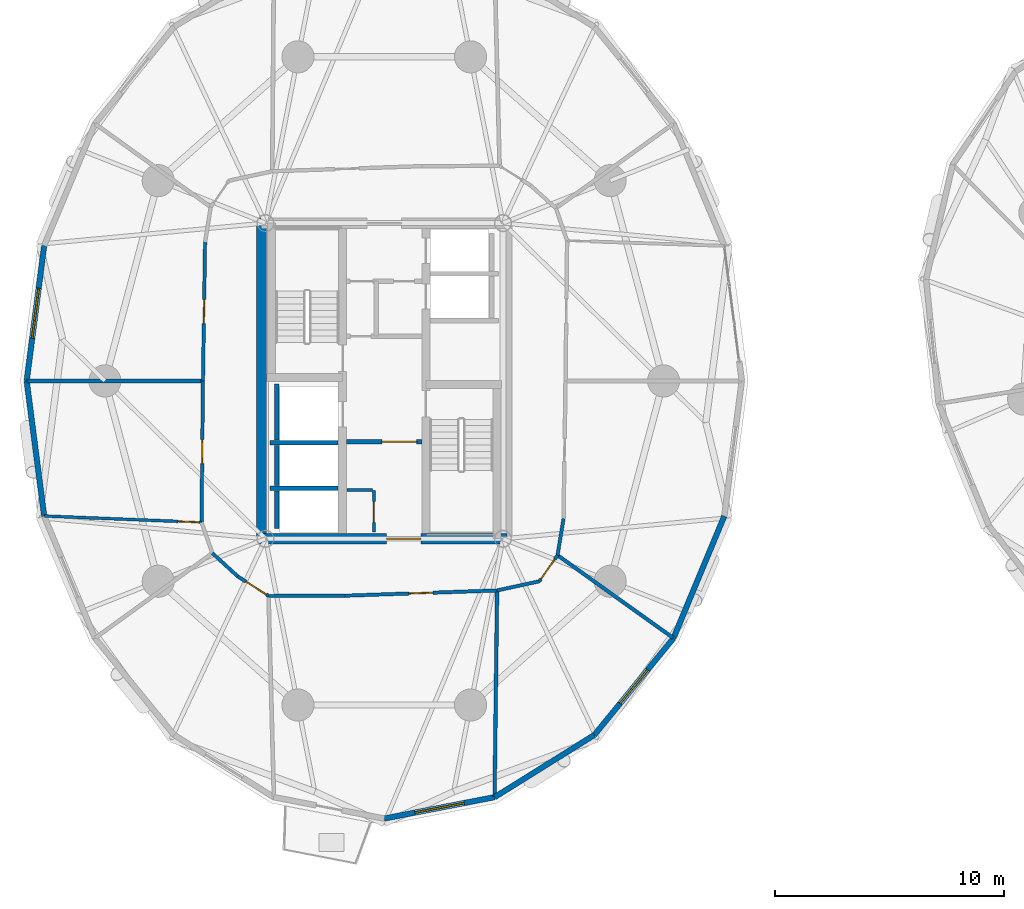
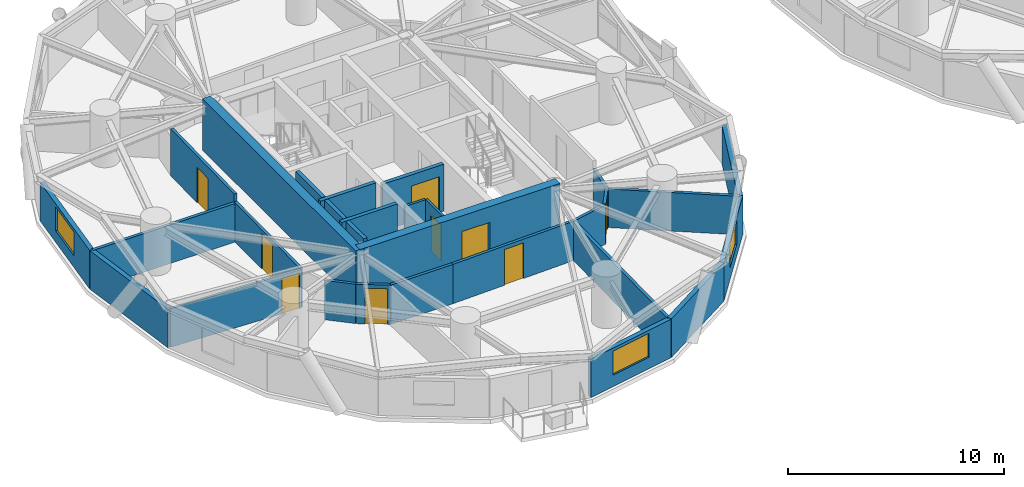
# One storey, part 9 of 17: 29 walls, 9 doors, 3 windows, 12 openings.
"""IFC4 building model written with IfcOpenShell, lengths in metres."""

import ifcopenshell
import ifcopenshell.guid

model = None  # the IFC model being written
_history = None  # IfcOwnerHistory: only IFC2X3 demands one
_inside = {}  # id of a spatial element -> (the spatial element, [elements in it])
_under = {}  # id of a project, library or spatial element -> (it, [spatial elements below it])
_declared = {}  # id of a project -> (the project, [libraries it declares])
_typed = {}  # id of a type object -> (the type object, [elements of that type])
_made_of = {}  # id of a material, layer set ... -> (it, [elements and type objects made of it])


def new_model(schema):
    """Start an empty IFC model of exactly this schema.

    Asked for "IFC4X3", IfcOpenShell would pick the latest addendum, in which some entities
    have other attributes; the version numbers below select the first issue.
    IFC2X3 requires an IfcOwnerHistory on every rooted entity: one is made here for all.
    """
    global model, _history
    if schema == "IFC4X3":
        model = ifcopenshell.file(schema_version=(4, 3, 0, 0))
    else:
        model = ifcopenshell.file(schema=schema)
    _inside.clear()
    _under.clear()
    _declared.clear()
    _typed.clear()
    _made_of.clear()
    _history = None
    if model.schema == "IFC2X3":
        org = make("IfcOrganization", Name="unknown")
        user = make(
            "IfcPersonAndOrganization",
            ThePerson=make("IfcPerson", FamilyName="unknown"),
            TheOrganization=org,
        )
        app = make(
            "IfcApplication",
            ApplicationDeveloper=org,
            Version="unknown",
            ApplicationFullName="unknown",
            ApplicationIdentifier="unknown",
        )
        _history = make(
            "IfcOwnerHistory",
            OwningUser=user,
            OwningApplication=app,
            ChangeAction="ADDED",
            CreationDate=0,
        )
    return model


def make(cls, **values):
    """One entity of the class cls with the attributes given. An attribute that is None is left unset."""
    return model.create_entity(
        cls, **{name: value for name, value in values.items() if value is not None}
    )


def rooted(cls, **values):
    """An entity with a GlobalId (a new one), such as an element, a storey or a relation."""
    return make(cls, GlobalId=ifcopenshell.guid.new(), OwnerHistory=_history, **values)


def si_unit(unit_type, name, prefix=None):
    """IfcSIUnit, for example si_unit("LENGTHUNIT", "METRE", prefix="MILLI")."""
    return make("IfcSIUnit", UnitType=unit_type, Prefix=prefix, Name=name)


def assignment(units):
    """IfcUnitAssignment: the units of a project."""
    return None if units is None else make("IfcUnitAssignment", Units=units)


def point(xyz):
    """IfcCartesianPoint."""
    return None if xyz is None else make("IfcCartesianPoint", Coordinates=xyz)


def direction(xyz):
    """IfcDirection."""
    return None if xyz is None else make("IfcDirection", DirectionRatios=xyz)


def frame(location, z_axis=None, x_axis=None):
    """IfcAxis2Placement3D, a coordinate frame: its origin and axes. An axis left out is left unset."""
    return make(
        "IfcAxis2Placement3D",
        Location=point(location),
        Axis=direction(z_axis),
        RefDirection=direction(x_axis),
    )


def frame_2d(location, x_axis=None):
    """IfcAxis2Placement2D, a coordinate frame in the plane: its origin and x axis."""
    return make(
        "IfcAxis2Placement2D", Location=point(location), RefDirection=direction(x_axis)
    )


def origin():
    """The frame at (0, 0, 0) with its axes left unset."""
    return frame((0.0, 0.0, 0.0))


def place(relative_to, where):
    """IfcLocalPlacement: puts the frame where relative to a parent placement (None: the world)."""
    return make(
        "IfcLocalPlacement", PlacementRelTo=relative_to, RelativePlacement=where
    )


def context(
    kind, dimensions, precision=None, world=None, true_north=None, identifier=None
):
    """IfcGeometricRepresentationContext, for example the 3D "Model" context."""
    return make(
        "IfcGeometricRepresentationContext",
        ContextIdentifier=identifier,
        ContextType=kind,
        CoordinateSpaceDimension=dimensions,
        Precision=precision,
        WorldCoordinateSystem=world,
        TrueNorth=true_north,
    )


def subcontext(parent, identifier, kind, view, scale=None):
    """IfcGeometricRepresentationSubContext, for example "Body" below "Model"."""
    return make(
        "IfcGeometricRepresentationSubContext",
        ContextIdentifier=identifier,
        ContextType=kind,
        ParentContext=parent,
        TargetScale=scale,
        TargetView=view,
    )


def project(units=None, contexts=None):
    """IfcProject with its units and contexts."""
    return rooted(
        "IfcProject",
        Name="project",
        RepresentationContexts=contexts,
        UnitsInContext=assignment(units),
    )


def spatial(cls, under=None, at=None, **own):
    """A site, building, storey or space (cls), placed at a placement, below another one or the project."""
    s = rooted(cls, ObjectPlacement=at, **own)
    if under is not None:
        _under.setdefault(under.id(), (under, []))[1].append(s)
    return s


def profile(cls, at=None, kind="AREA", **sizes):
    """A parametric profile (cls). Its sizes go by their IFC names, for example OverallWidth=200.0."""
    return make(cls, ProfileType=kind, Position=at, **sizes)


def rectangle(**sizes):
    """IfcRectangleProfileDef."""
    return profile("IfcRectangleProfileDef", **sizes)


def extrude(swept, where, along, depth):
    """IfcExtrudedAreaSolid: the profile swept, set in the frame where, extruded along a direction by depth."""
    return make(
        "IfcExtrudedAreaSolid",
        SweptArea=swept,
        Position=where,
        ExtrudedDirection=direction(along),
        Depth=depth,
    )


def shape(context_of_items, identifier, shape_type, items):
    """IfcShapeRepresentation: the items that make up one representation, for example the "Body"."""
    return make(
        "IfcShapeRepresentation",
        ContextOfItems=context_of_items,
        RepresentationIdentifier=identifier,
        RepresentationType=shape_type,
        Items=items,
    )


def source(mapping_origin, context_of_items, identifier, shape_type, items):
    """IfcRepresentationMap: a shape defined once, which mapped items show again and again."""
    return make(
        "IfcRepresentationMap",
        MappingOrigin=mapping_origin,
        MappedRepresentation=shape(context_of_items, identifier, shape_type, items),
    )


def transform(
    local_origin,
    x_axis=None,
    y_axis=None,
    z_axis=None,
    scale=None,
    scale2=None,
    scale3=None,
    uniform=True,
):
    """IfcCartesianTransformationOperator3D, or its non-uniform kind. x_axis, y_axis, z_axis: its Axis1, 2, 3."""
    if uniform:
        return make(
            "IfcCartesianTransformationOperator3D",
            Axis1=direction(x_axis),
            Axis2=direction(y_axis),
            LocalOrigin=point(local_origin),
            Scale=scale,
            Axis3=direction(z_axis),
        )
    return make(
        "IfcCartesianTransformationOperator3DnonUniform",
        Axis1=direction(x_axis),
        Axis2=direction(y_axis),
        LocalOrigin=point(local_origin),
        Scale=scale,
        Axis3=direction(z_axis),
        Scale2=scale2,
        Scale3=scale3,
    )


def mapped(mapping_source, mapping_target):
    """IfcMappedItem: shows the shape of a source again, moved by a transform."""
    return make(
        "IfcMappedItem", MappingSource=mapping_source, MappingTarget=mapping_target
    )


def material(Name=None, Category=None):
    """IfcMaterial."""
    return make("IfcMaterial", Name=Name, Category=Category)


def layer(
    of_material, thickness, ventilated=None, Name=None, Category=None, Priority=None
):
    """IfcMaterialLayer: one layer of a wall or slab, of a material (None: an air gap)."""
    return make(
        "IfcMaterialLayer",
        Material=of_material,
        LayerThickness=thickness,
        IsVentilated=ventilated,
        Name=Name,
        Category=Category,
        Priority=Priority,
    )


def layer_set(layers, Name=None):
    """IfcMaterialLayerSet."""
    return make("IfcMaterialLayerSet", MaterialLayers=layers, LayerSetName=Name)


def made_of(thing, what):
    """Note that an element or type object is made of a material, layer set ...; save() writes the relation."""
    if what is not None:
        _made_of.setdefault(what.id(), (what, []))[1].append(thing)
    return thing


def type_object(cls, material=None, **own):
    """A type object (cls), such as IfcWallType, which elements share."""
    return made_of(rooted(cls, **own), material)


def element(
    cls,
    number,
    at=None,
    inside=None,
    cuts=None,
    type_object=None,
    material=None,
    context=None,
    identifier="Body",
    shape_type=None,
    held_by="IfcProductDefinitionShape",
    body=None,
    shapes=None,
    **own,
):
    """One element of the class cls, such as IfcWall. Its Tag is "e" and its number.

    at: its placement. inside: the storey or other place that contains it. cuts: it is an
    opening in that element (IfcRelVoidsElement). A single representation is given by context,
    identifier, shape_type and body (its items); several are given by shapes. held_by: the class
    of the entity that holds the representations. save() writes the other relations.
    """
    e = rooted(cls, Tag="e%d" % number, ObjectPlacement=at, **own)
    if body is not None:
        shapes = [shape(context, identifier, shape_type, body)]
    if shapes is not None:
        e.Representation = make(held_by, Representations=shapes)
    if inside is not None:
        _inside.setdefault(inside.id(), (inside, []))[1].append(e)
    if cuts is not None:
        rooted(
            "IfcRelVoidsElement", RelatingBuildingElement=cuts, RelatedOpeningElement=e
        )
    if type_object is not None:
        _typed.setdefault(type_object.id(), (type_object, []))[1].append(e)
    return made_of(e, material)


def fill(opening, filler):
    """IfcRelFillsElement: the door or window that sits in an opening."""
    return rooted(
        "IfcRelFillsElement",
        RelatingOpeningElement=opening,
        RelatedBuildingElement=filler,
    )


def aggregate(whole, parts):
    """IfcRelAggregates: a whole, such as a stair, and the parts it consists of."""
    return rooted("IfcRelAggregates", RelatingObject=whole, RelatedObjects=parts)


def save(model, path):
    """Write the relations noted so far, then the file.

    IfcRelAggregates (storeys below a building ...), IfcRelContainedInSpatialStructure (elements
    in a storey), IfcRelDefinesByType, IfcRelAssociatesMaterial and IfcRelDeclares: one each for
    every whole, place, type object, material and project.
    """
    for whole, parts in _under.values():
        aggregate(whole, parts)
    for where, things in _inside.values():
        rooted(
            "IfcRelContainedInSpatialStructure",
            RelatedElements=things,
            RelatingStructure=where,
        )
    for kind, things in _typed.values():
        rooted("IfcRelDefinesByType", RelatedObjects=things, RelatingType=kind)
    for what, things in _made_of.values():
        rooted("IfcRelAssociatesMaterial", RelatedObjects=things, RelatingMaterial=what)
    for by, libraries in _declared.values():
        rooted("IfcRelDeclares", RelatingContext=by, RelatedDefinitions=libraries)
    model.write(path)


model = new_model("IFC4")

# Units and contexts
model_context = context("Model", 3, precision=1e-05, world=origin(), true_north=direction((0.0, 1.0)))
body_context = subcontext(model_context, "Body", "Model", "MODEL_VIEW")
ifc_project = project(units=[si_unit("LENGTHUNIT", "METRE"), si_unit("AREAUNIT", "SQUARE_METRE"), si_unit("VOLUMEUNIT", "CUBIC_METRE"), si_unit("PLANEANGLEUNIT", "RADIAN"), si_unit("MASSUNIT", "GRAM", prefix="KILO")], contexts=[model_context])

# Site, building, storey
site_placement = place(None, origin())
site = spatial("IfcSite", under=ifc_project, at=site_placement, CompositionType="ELEMENT")
building_placement = place(site_placement, origin())
building = spatial("IfcBuilding", under=site, at=building_placement, Name="Cununo Teusaquillo Station Towers", CompositionType="ELEMENT")
storey_placement = place(building_placement, frame((0.0, 0.0, 78.8798828125)))
storey = spatial("IfcBuildingStorey", under=building, at=storey_placement, Name="L24", CompositionType="ELEMENT", Elevation=78.8798828125)

# Walls
ifc_material_1 = material(Name="Concrete C50/60", Category="concrete")
ifc_layer_1 = layer(ifc_material_1, 0.199951171875)
ifc_layer_set_1 = layer_set([ifc_layer_1], Name="Concrete C50/60")
wall_type_1 = type_object("IfcWallType", Name="WL-CORE-200", PredefinedType="SHEAR", material=ifc_layer_set_1)
wall_1_placement = place(storey_placement, frame((11.52001953125, 21.800048828125, 0.0), z_axis=(0.0, 0.0, 1.0), x_axis=(1.0, 0.0, 0.0)))
element("IfcWall", 1, at=wall_1_placement, inside=storey, type_object=wall_type_1, Name="L24 Tower A Firefighting Lift Shaft South Shear Wall", PredefinedType="SHEAR", context=body_context, shape_type="SweptSolid", body=[
    extrude(rectangle(XDim=2.969970703125, YDim=0.199951171875, at=frame_2d((1.48486328125, 0.0))), origin(), (0.0, 0.0, 1.0), 2.91015625),
])
wall_2_placement = place(storey_placement, frame((11.820068359375, 21.919921875, 0.0), z_axis=(0.0, 0.0, 1.0), x_axis=(0.0, 1.0, 0.0)))
element("IfcWall", 2, at=wall_2_placement, inside=storey, type_object=wall_type_1, Name="L24 Tower A Firefighting Lift Shaft Rear Shear Wall", PredefinedType="SHEAR", context=body_context, shape_type="SweptSolid", body=[
    extrude(rectangle(XDim=2.440185546875, YDim=0.199951171875, at=frame_2d((1.22021484375, 0.0))), origin(), (0.0, 0.0, 1.0), 2.91015625),
])
wall_3_placement = place(storey_placement, frame((11.52001953125, 19.824951171875, 0.0), z_axis=(0.0, 0.0, 1.0), x_axis=(1.0, 0.0, 0.0)))
element("IfcWall", 3, at=wall_3_placement, inside=storey, type_object=wall_type_1, Name="L24 Tower A High-Rise Lift Hoistway Divider Shear Wall", PredefinedType="SHEAR", context=body_context, shape_type="SweptSolid", body=[
    extrude(rectangle(XDim=2.969970703125, YDim=0.199951171875, at=frame_2d((1.48486328125, 0.0))), origin(), (0.0, 0.0, 1.0), 2.91015625),
])
wall_4_placement = place(storey_placement, frame((11.820068359375, 19.945068359375, 0.0), z_axis=(0.0, 0.0, 1.0), x_axis=(0.0, 1.0, 0.0)))
element("IfcWall", 4, at=wall_4_placement, inside=storey, type_object=wall_type_1, Name="L24 Tower A High-Rise Lift 2 Shaft Rear Shear Wall", PredefinedType="SHEAR", context=body_context, shape_type="SweptSolid", body=[
    extrude(rectangle(XDim=1.73486328125, YDim=0.199951171875, at=frame_2d((0.867431640625, 0.0))), origin(), (0.0, 0.0, 1.0), 2.91015625),
])
wall_5_placement = place(storey_placement, frame((11.820068359375, 18.070068359375, 0.0), z_axis=(0.0, 0.0, 1.0), x_axis=(0.0, 1.0, 0.0)))
element("IfcWall", 5, at=wall_5_placement, inside=storey, type_object=wall_type_1, Name="L24 Tower A High-Rise Lift 1 Shaft Rear Shear Wall", PredefinedType="SHEAR", context=body_context, shape_type="SweptSolid", body=[
    extrude(rectangle(XDim=1.635009765625, YDim=0.199951171875, at=frame_2d((0.8173828125, 0.0))), origin(), (0.0, 0.0, 1.0), 2.91015625),
])
ifc_material_2 = material(Name="Concrete C60/75", Category="concrete")
ifc_layer_2 = layer(ifc_material_2, 0.449951171875)
ifc_layer_set_2 = layer_set([ifc_layer_2], Name="Concrete C60/75")
wall_type_2 = type_object("IfcWallType", Name="WL-CORE-450", PredefinedType="SHEAR", material=ifc_layer_set_2)
wall_6_placement = place(storey_placement, frame((11.14990234375, 17.39990234375, 0.0), z_axis=(0.0, 0.0, 1.0), x_axis=(0.0, 1.0, 0.0)))
element("IfcWall", 6, at=wall_6_placement, inside=storey, type_object=wall_type_2, Name="L24 Tower A Core Shear Wall W", PredefinedType="SHEAR", context=body_context, shape_type="SweptSolid", body=[
    extrude(rectangle(XDim=14.2001953125, YDim=0.449951171875, at=frame_2d((7.10009765625, 0.0))), origin(), (0.0, 0.0, 1.0), 2.91015625),
])

# Wall, opening, door
wall_7_placement = place(storey_placement, frame((11.14990234375, 17.625, 0.0), z_axis=(0.0, 0.0, 1.0), x_axis=(1.0, 0.0, 0.0)))
wall_7 = element("IfcWall", 7, at=wall_7_placement, inside=storey, type_object=wall_type_2, Name="L24 Tower A Core Shear Wall S", PredefinedType="SHEAR", context=body_context, shape_type="SweptSolid", body=[
    extrude(rectangle(XDim=10.7001953125, YDim=0.449951171875, at=frame_2d((5.35009765625, 0.0))), origin(), (0.0, 0.0, 1.0), 2.91015625),
])
shared_shape_1 = source(origin(), body_context, "Body", "SweptSolid", [
    extrude(rectangle(XDim=1.5, YDim=2.02001953125, at=frame_2d((0.75, 1.010009765625))), frame((0.0, 0.23486328125, 0.0), z_axis=(0.0, -1.0, 0.0), x_axis=(1.0, 0.0, 0.0)), (0.0, 0.0, 1.0), 0.469970703125),
])
opening_1_placement = place(wall_7_placement, frame((5.449951171875, 0.0, 0.0)))
opening_1 = element("IfcOpeningElement", 8, at=opening_1_placement, cuts=wall_7, Name="Opening D-LB1", PredefinedType="OPENING", context=body_context, shape_type="MappedRepresentation", body=[
    mapped(shared_shape_1, transform((0.0, 0.0, 0.0), x_axis=(1.0, 0.0, 0.0), y_axis=(0.0, 1.0, 0.0), z_axis=(0.0, 0.0, 1.0), scale=1.0)),
])
ifc_material_3 = material(Name="Galvanised fire-rated hollow steel door assembly", Category="steel")
door_type_1 = type_object("IfcDoorType", Name="DR-LOBBY-1500", OperationType="DOUBLE_DOOR_SINGLE_SWING", PredefinedType="DOOR", material=ifc_material_3)
shared_shape_2 = source(origin(), body_context, "Body", "SweptSolid", [
    extrude(rectangle(XDim=1.5, YDim=2.02001953125, at=frame_2d((0.75, 1.010009765625))), frame((0.0, 0.02490234375, 0.0), z_axis=(0.0, -1.0, 0.0), x_axis=(1.0, 0.0, 0.0)), (0.0, 0.0, 1.0), 0.050048828125),
])
door_1_placement = place(opening_1_placement, origin())
door_1 = element("IfcDoor", 9, at=door_1_placement, inside=storey, type_object=door_type_1, Name="L24 Tower A South Core Lift Lobby Door", OperationType="DOUBLE_DOOR_SINGLE_SWING", OverallHeight=2.02001953125, OverallWidth=1.5, PredefinedType="DOOR", context=body_context, shape_type="MappedRepresentation", body=[
    mapped(shared_shape_2, transform((0.0, 0.0, 0.0), x_axis=(1.0, 0.0, 0.0), y_axis=(0.0, 1.0, 0.0), z_axis=(0.0, 0.0, 1.0), scale=1.0)),
])
fill(opening_1, door_1)

# Wall, opening, window
ifc_material_4 = material(Name="Precast concrete C40/50", Category="concrete")
ifc_layer_3 = layer(ifc_material_4, 0.239990234375)
ifc_layer_set_3 = layer_set([ifc_layer_3], Name="Precast concrete C40/50")
wall_type_3 = type_object("IfcWallType", Name="WL-EXT-240", PredefinedType="SOLIDWALL", material=ifc_layer_set_3)
wall_8_placement = place(storey_placement, frame((0.9189453125, 24.5, 0.0), z_axis=(0.0, 0.0, 1.0), x_axis=(0.128351991996, 0.991728675672, 0.0)))
wall_8 = element("IfcWall", 10, at=wall_8_placement, inside=storey, type_object=wall_type_3, Name="L24 Tower A Exterior Facade Wall C09", PredefinedType="SOLIDWALL", context=body_context, shape_type="SweptSolid", body=[
    extrude(rectangle(XDim=5.942138671875, YDim=0.239990234375, at=frame_2d((2.97119140625, 0.0))), origin(), (0.0, 0.0, 1.0), 2.17919921875),
])
shared_shape_3 = source(origin(), body_context, "Body", "SweptSolid", [
    extrude(rectangle(XDim=2.199951171875, YDim=1.35009765625, at=frame_2d((1.10009765625, 0.675048828125))), frame((0.0, 0.1298828125, 0.0), z_axis=(0.0, -1.0, 0.0), x_axis=(1.0, 0.0, 0.0)), (0.0, 0.0, 1.0), 0.260009765625),
])
opening_2_placement = place(wall_8_placement, frame((1.87109375, 0.0, 0.64990234375)))
opening_2 = element("IfcOpeningElement", 11, at=opening_2_placement, cuts=wall_8, Name="Opening WN-01", PredefinedType="OPENING", context=body_context, shape_type="MappedRepresentation", body=[
    mapped(shared_shape_3, transform((0.0, 0.0, 0.0), x_axis=(1.0, 0.0, 0.0), y_axis=(0.0, 1.0, 0.0), z_axis=(0.0, 0.0, 1.0), scale=1.0)),
])
ifc_material_5 = material(Name="Ceramic-fritted dark low-E double glazing", Category="glass")
window_type_1 = type_object("IfcWindowType", Name="WIN-FRIT-2200", PartitioningType="DOUBLE_PANEL_VERTICAL", PredefinedType="WINDOW", material=ifc_material_5)
shared_shape_4 = source(origin(), body_context, "Body", "SweptSolid", [
    extrude(rectangle(XDim=2.199951171875, YDim=1.35009765625, at=frame_2d((1.10009765625, 0.675048828125))), frame((0.0, 0.030029296875, 0.0), z_axis=(0.0, -1.0, 0.0), x_axis=(1.0, 0.0, 0.0)), (0.0, 0.0, 1.0), 0.06005859375),
])
window_1_placement = place(opening_2_placement, origin())
window_1 = element("IfcWindow", 12, at=window_1_placement, inside=storey, type_object=window_type_1, Name="L24 Tower A Facade Window C09", OverallHeight=1.35009765625, OverallWidth=2.199951171875, PartitioningType="DOUBLE_PANEL_VERTICAL", PredefinedType="WINDOW", context=body_context, shape_type="MappedRepresentation", body=[
    mapped(shared_shape_4, transform((0.0, 0.0, 0.0), x_axis=(1.0, 0.0, 0.0), y_axis=(0.0, 1.0, 0.0), z_axis=(0.0, 0.0, 1.0), scale=1.0)),
])
fill(opening_2, window_1)

# Wall
wall_9_placement = place(storey_placement, frame((1.681640625, 18.60693359375, 0.0), z_axis=(0.0, 0.0, 1.0), x_axis=(-0.128351991996, 0.991728675672, 0.0)))
element("IfcWall", 13, at=wall_9_placement, inside=storey, type_object=wall_type_3, Name="L24 Tower A Exterior Facade Wall C10", PredefinedType="SOLIDWALL", context=body_context, shape_type="SweptSolid", body=[
    extrude(rectangle(XDim=5.942138671875, YDim=0.239990234375, at=frame_2d((2.97119140625, 0.0))), origin(), (0.0, 0.0, 1.0), 2.17919921875),
])

# Wall, opening, window
wall_10_placement = place(storey_placement, frame((21.314697265625, 6.36328125, 0.0), z_axis=(0.0, 0.0, 1.0), x_axis=(-0.981723785992, -0.190311344954, 0.0)))
wall_10 = element("IfcWall", 14, at=wall_10_placement, inside=storey, type_object=wall_type_3, Name="L24 Tower A Exterior Facade Wall C15", PredefinedType="SOLIDWALL", context=body_context, shape_type="SweptSolid", body=[
    extrude(rectangle(XDim=4.904296875, YDim=0.239990234375, at=frame_2d((2.4521484375, 0.0))), origin(), (0.0, 0.0, 1.0), 2.17919921875),
])
opening_3_placement = place(wall_10_placement, frame((1.35205078125, 0.0, 0.64990234375)))
opening_3 = element("IfcOpeningElement", 15, at=opening_3_placement, cuts=wall_10, Name="Opening WN-01", PredefinedType="OPENING", context=body_context, shape_type="MappedRepresentation", body=[
    mapped(shared_shape_3, transform((0.0, 0.0, 0.0), x_axis=(1.0, 0.0, 0.0), y_axis=(0.0, 1.0, 0.0), z_axis=(0.0, 0.0, 1.0), scale=1.0)),
])
window_2_placement = place(opening_3_placement, origin())
window_2 = element("IfcWindow", 16, at=window_2_placement, inside=storey, type_object=window_type_1, Name="L24 Tower A Facade Window C15", OverallHeight=1.35009765625, OverallWidth=2.199951171875, PartitioningType="DOUBLE_PANEL_VERTICAL", PredefinedType="WINDOW", context=body_context, shape_type="MappedRepresentation", body=[
    mapped(shared_shape_4, transform((0.0, 0.0, 0.0), x_axis=(1.0, 0.0, 0.0), y_axis=(0.0, 1.0, 0.0), z_axis=(0.0, 0.0, 1.0), scale=1.0)),
])
fill(opening_3, window_2)

# Wall
wall_11_placement = place(storey_placement, frame((25.658203125, 9.072021484375, 0.0), z_axis=(0.0, 0.0, 1.0), x_axis=(-0.848520380187, -0.529162701263, 0.0)))
element("IfcWall", 17, at=wall_11_placement, inside=storey, type_object=wall_type_3, Name="L24 Tower A Exterior Facade Wall C16", PredefinedType="SOLIDWALL", context=body_context, shape_type="SweptSolid", body=[
    extrude(rectangle(XDim=5.118896484375, YDim=0.239990234375, at=frame_2d((2.5595703125, 0.0))), origin(), (0.0, 0.0, 1.0), 2.17919921875),
])

# Wall, opening, window
wall_12_placement = place(storey_placement, frame((29.105224609375, 13.291015625, 0.0), z_axis=(0.0, 0.0, 1.0), x_axis=(-0.632700781152, -0.77439635945, 0.0)))
wall_12 = element("IfcWall", 18, at=wall_12_placement, inside=storey, type_object=wall_type_3, Name="L24 Tower A Exterior Facade Wall C17", PredefinedType="SOLIDWALL", context=body_context, shape_type="SweptSolid", body=[
    extrude(rectangle(XDim=5.447998046875, YDim=0.239990234375, at=frame_2d((2.72412109375, 0.0))), origin(), (0.0, 0.0, 1.0), 2.17919921875),
])
shared_shape_5 = source(origin(), body_context, "Body", "SweptSolid", [
    extrude(rectangle(XDim=1.89990234375, YDim=1.35009765625, at=frame_2d((0.949951171875, 0.675048828125))), frame((0.0, 0.1298828125, 0.0), z_axis=(0.0, -1.0, 0.0), x_axis=(1.0, 0.0, 0.0)), (0.0, 0.0, 1.0), 0.260009765625),
])
opening_4_placement = place(wall_12_placement, frame((1.77392578125, 0.0, 0.64990234375)))
opening_4 = element("IfcOpeningElement", 19, at=opening_4_placement, cuts=wall_12, Name="Opening WN-02", PredefinedType="OPENING", context=body_context, shape_type="MappedRepresentation", body=[
    mapped(shared_shape_5, transform((0.0, 0.0, 0.0), x_axis=(1.0, 0.0, 0.0), y_axis=(0.0, 1.0, 0.0), z_axis=(0.0, 0.0, 1.0), scale=1.0)),
])
ifc_material_6 = material(Name="Operable acoustic tinted low-E double glazing", Category="glass")
window_type_2 = type_object("IfcWindowType", Name="WIN-OPER-1900", PartitioningType="DOUBLE_PANEL_VERTICAL", PredefinedType="WINDOW", material=ifc_material_6)
shared_shape_6 = source(origin(), body_context, "Body", "SweptSolid", [
    extrude(rectangle(XDim=1.89990234375, YDim=1.35009765625, at=frame_2d((0.949951171875, 0.675048828125))), frame((0.0, 0.030029296875, 0.0), z_axis=(0.0, -1.0, 0.0), x_axis=(1.0, 0.0, 0.0)), (0.0, 0.0, 1.0), 0.06005859375),
])
window_3_placement = place(opening_4_placement, origin())
window_3 = element("IfcWindow", 20, at=window_3_placement, inside=storey, type_object=window_type_2, Name="L24 Tower A Facade Window C17", OverallHeight=1.35009765625, OverallWidth=1.89990234375, PartitioningType="DOUBLE_PANEL_VERTICAL", PredefinedType="WINDOW", context=body_context, shape_type="MappedRepresentation", body=[
    mapped(shared_shape_6, transform((0.0, 0.0, 0.0), x_axis=(1.0, 0.0, 0.0), y_axis=(0.0, 1.0, 0.0), z_axis=(0.0, 0.0, 1.0), scale=1.0)),
])
fill(opening_4, window_3)

# Wall
wall_13_placement = place(storey_placement, frame((31.318359375, 18.60693359375, 0.0), z_axis=(0.0, 0.0, 1.0), x_axis=(-0.384344417632, -0.923189779317, 0.0)))
element("IfcWall", 21, at=wall_13_placement, inside=storey, type_object=wall_type_3, Name="L24 Tower A Exterior Facade Wall C18", PredefinedType="SOLIDWALL", context=body_context, shape_type="SweptSolid", body=[
    extrude(rectangle(XDim=5.75830078125, YDim=0.239990234375, at=frame_2d((2.879150390625, 0.0))), origin(), (0.0, 0.0, 1.0), 2.17919921875),
])

# Wall, opening, door
ifc_material_7 = material(Name="Fire-rated gypsum plasterboard partition assembly", Category="gypsum")
ifc_layer_4 = layer(ifc_material_7, 0.125)
ifc_layer_set_4 = layer_set([ifc_layer_4], Name="Fire-rated gypsum plasterboard partition assembly")
wall_type_4 = type_object("IfcWallType", Name="WL-PART-125", PredefinedType="PARTITIONING", material=ifc_layer_set_4)
wall_14_placement = place(storey_placement, frame((16.050048828125, 17.919921875, 0.0), z_axis=(0.0, 0.0, 1.0), x_axis=(0.0, 1.0, 0.0)))
wall_14 = element("IfcWall", 22, at=wall_14_placement, inside=storey, type_object=wall_type_4, Name="L24 Tower A South-West Compact Store East Wall", PredefinedType="PARTITIONING", context=body_context, shape_type="SweptSolid", body=[
    extrude(rectangle(XDim=1.800048828125, YDim=0.125, at=frame_2d((0.89990234375, 0.0))), origin(), (0.0, 0.0, 1.0), 2.655029296875),
])
shared_shape_7 = source(origin(), body_context, "Body", "SweptSolid", [
    extrude(rectangle(XDim=0.89990234375, YDim=2.0048828125, at=frame_2d((0.449951171875, 1.00244140625))), frame((0.0, 0.072509765625, 0.0), z_axis=(0.0, -1.0, 0.0), x_axis=(1.0, 0.0, 0.0)), (0.0, 0.0, 1.0), 0.14501953125),
])
opening_5_placement = place(wall_14_placement, frame((0.419921875, 0.0, 0.0)))
opening_5 = element("IfcOpeningElement", 23, at=opening_5_placement, cuts=wall_14, Name="Opening D-SR1", PredefinedType="OPENING", context=body_context, shape_type="MappedRepresentation", body=[
    mapped(shared_shape_7, transform((0.0, 0.0, 0.0), x_axis=(1.0, 0.0, 0.0), y_axis=(0.0, 1.0, 0.0), z_axis=(0.0, 0.0, 1.0), scale=1.0)),
])
ifc_material_8 = material(Name="Galvanised fire-rated hollow steel door assembly", Category="steel")
door_type_2 = type_object("IfcDoorType", Name="DR-STORE-900", OperationType="NOTDEFINED", PredefinedType="DOOR", material=ifc_material_8)
shared_shape_8 = source(origin(), body_context, "Body", "SweptSolid", [
    extrude(rectangle(XDim=0.89990234375, YDim=2.0048828125, at=frame_2d((0.449951171875, 1.00244140625))), frame((0.0, 0.02490234375, 0.0), z_axis=(0.0, -1.0, 0.0), x_axis=(1.0, 0.0, 0.0)), (0.0, 0.0, 1.0), 0.050048828125),
])
door_2_placement = place(opening_5_placement, origin())
door_2 = element("IfcDoor", 24, at=door_2_placement, inside=storey, type_object=door_type_2, Name="L24 Tower A Core Electrical & Comms Store Door", OperationType="SINGLE_SWING_LEFT", OverallHeight=2.0048828125, OverallWidth=0.89990234375, PredefinedType="DOOR", context=body_context, shape_type="MappedRepresentation", body=[
    mapped(shared_shape_8, transform((0.0, 0.0, 0.0), x_axis=(1.0, 0.0, 0.0), y_axis=(0.0, 1.0, 0.0), z_axis=(0.0, 0.0, 1.0), scale=1.0)),
])
fill(opening_5, door_2)

# Wall
wall_15_placement = place(storey_placement, frame((14.8798828125, 19.75, 0.0), z_axis=(0.0, 0.0, 1.0), x_axis=(1.0, 0.0, 0.0)))
element("IfcWall", 25, at=wall_15_placement, inside=storey, type_object=wall_type_4, Name="L24 Tower A South-West Compact Store North Wall", PredefinedType="PARTITIONING", context=body_context, shape_type="SweptSolid", body=[
    extrude(rectangle(XDim=1.10009765625, YDim=0.125, at=frame_2d((0.550048828125, 0.0))), origin(), (0.0, 0.0, 1.0), 2.655029296875),
])

# Wall, opening, door
wall_16_placement = place(storey_placement, frame((8.538330078125, 18.338134765625, 0.0), z_axis=(0.0, 0.0, 1.0), x_axis=(-0.999191355531, 0.04020740021, 0.0)))
wall_16 = element("IfcWall", 26, at=wall_16_placement, inside=storey, type_object=wall_type_4, Name="L24 Tower A Managing Partner Corner Chambers Suite Subdividing Wall", PredefinedType="PARTITIONING", context=body_context, shape_type="SweptSolid", body=[
    extrude(rectangle(XDim=6.84326171875, YDim=0.125, at=frame_2d((3.421630859375, 0.0))), origin(), (0.0, 0.0, 1.0), 2.17919921875),
])
opening_6_placement = place(wall_16_placement, frame((0.1201171875, 0.0, 0.0)))
opening_6 = element("IfcOpeningElement", 27, at=opening_6_placement, cuts=wall_16, Name="Opening D-IN1", PredefinedType="OPENING", context=body_context, shape_type="MappedRepresentation", body=[
    mapped(shared_shape_7, transform((0.0, 0.0, 0.0), x_axis=(1.0, 0.0, 0.0), y_axis=(0.0, 1.0, 0.0), z_axis=(0.0, 0.0, 1.0), scale=1.0)),
])
ifc_material_9 = material(Name="Acoustic solid-core hardwood leaf assembly", Category="wood")
door_type_3 = type_object("IfcDoorType", Name="DR-INT-900", OperationType="NOTDEFINED", PredefinedType="DOOR", material=ifc_material_9)
door_3_placement = place(opening_6_placement, origin())
door_3 = element("IfcDoor", 28, at=door_3_placement, inside=storey, type_object=door_type_3, Name="L24 Tower A Managing Partner Corner Chambers Suite Connecting Door", OperationType="SINGLE_SWING_RIGHT", OverallHeight=2.0048828125, OverallWidth=0.89990234375, PredefinedType="DOOR", context=body_context, shape_type="MappedRepresentation", body=[
    mapped(shared_shape_8, transform((0.0, 0.0, 0.0), x_axis=(1.0, 0.0, 0.0), y_axis=(0.0, 1.0, 0.0), z_axis=(0.0, 0.0, 1.0), scale=1.0)),
])
fill(opening_6, door_3)

ifc_material_10 = material(Name="Fire-rated gypsum plasterboard partition assembly", Category="gypsum")
ifc_layer_5 = layer(ifc_material_10, 0.14990234375)
ifc_layer_set_5 = layer_set([ifc_layer_5], Name="Fire-rated gypsum plasterboard partition assembly")
wall_type_5 = type_object("IfcWallType", Name="WL-PART-150", PredefinedType="PARTITIONING", material=ifc_layer_set_5)
wall_17_placement = place(storey_placement, frame((8.692626953125, 30.544189453125, 0.0), z_axis=(0.0, 0.0, 1.0), x_axis=(-0.015307007986, -0.99988284089, 0.0)))
wall_17 = element("IfcWall", 29, at=wall_17_placement, inside=storey, type_object=wall_type_5, Name="L24 Tower A Corridor Ring Wall C09", PredefinedType="PARTITIONING", context=body_context, shape_type="SweptSolid", body=[
    extrude(rectangle(XDim=6.044921875, YDim=0.14990234375, at=frame_2d((3.0224609375, 0.0))), origin(), (0.0, 0.0, 1.0), 2.655029296875),
])
shared_shape_9 = source(origin(), body_context, "Body", "SweptSolid", [
    extrude(rectangle(XDim=1.050048828125, YDim=2.014892578125, at=frame_2d((0.52490234375, 1.00732421875))), frame((0.0, 0.0849609375, 0.0), z_axis=(0.0, -1.0, 0.0), x_axis=(1.0, 0.0, 0.0)), (0.0, 0.0, 1.0), 0.169921875),
])
opening_7_placement = place(wall_17_placement, frame((2.497314453125, 0.0, 0.0)))
opening_7 = element("IfcOpeningElement", 30, at=opening_7_placement, cuts=wall_17, Name="Opening D-SU1", PredefinedType="OPENING", context=body_context, shape_type="MappedRepresentation", body=[
    mapped(shared_shape_9, transform((0.0, 0.0, 0.0), x_axis=(1.0, 0.0, 0.0), y_axis=(0.0, 1.0, 0.0), z_axis=(0.0, 0.0, 1.0), scale=1.0)),
])
ifc_material_11 = material(Name="Acoustic solid-core hardwood leaf assembly", Category="wood")
door_type_4 = type_object("IfcDoorType", Name="DR-SUITE-1050", OperationType="NOTDEFINED", PredefinedType="DOOR", material=ifc_material_11)
shared_shape_10 = source(origin(), body_context, "Body", "SweptSolid", [
    extrude(rectangle(XDim=1.050048828125, YDim=2.014892578125, at=frame_2d((0.52490234375, 1.00732421875))), frame((0.0, 0.02490234375, 0.0), z_axis=(0.0, -1.0, 0.0), x_axis=(1.0, 0.0, 0.0)), (0.0, 0.0, 1.0), 0.050048828125),
])
door_4_placement = place(opening_7_placement, origin())
door_4 = element("IfcDoor", 31, at=door_4_placement, inside=storey, type_object=door_type_4, Name="L24 Tower A Paralegal Casework Office Entrance Door", OperationType="SINGLE_SWING_RIGHT", OverallHeight=2.014892578125, OverallWidth=1.050048828125, PredefinedType="DOOR", context=body_context, shape_type="MappedRepresentation", body=[
    mapped(shared_shape_10, transform((0.0, 0.0, 0.0), x_axis=(1.0, 0.0, 0.0), y_axis=(0.0, 1.0, 0.0), z_axis=(0.0, 0.0, 1.0), scale=1.0)),
])
fill(opening_7, door_4)

wall_18_placement = place(storey_placement, frame((8.60009765625, 24.5, 0.0), z_axis=(0.0, 0.0, 1.0), x_axis=(-0.010023665349, -0.999949761805, 0.0)))
wall_18 = element("IfcWall", 32, at=wall_18_placement, inside=storey, type_object=wall_type_5, Name="L24 Tower A Corridor Ring Wall C10", PredefinedType="PARTITIONING", context=body_context, shape_type="SweptSolid", body=[
    extrude(rectangle(XDim=6.162109375, YDim=0.14990234375, at=frame_2d((3.0810546875, 0.0))), origin(), (0.0, 0.0, 1.0), 2.22509765625),
])
opening_8_placement = place(wall_18_placement, frame((2.55615234375, 0.0, 0.0)))
opening_8 = element("IfcOpeningElement", 33, at=opening_8_placement, cuts=wall_18, Name="Opening D-SU1", PredefinedType="OPENING", context=body_context, shape_type="MappedRepresentation", body=[
    mapped(shared_shape_9, transform((0.0, 0.0, 0.0), x_axis=(1.0, 0.0, 0.0), y_axis=(0.0, 1.0, 0.0), z_axis=(0.0, 0.0, 1.0), scale=1.0)),
])
door_5_placement = place(opening_8_placement, origin())
door_5 = element("IfcDoor", 34, at=door_5_placement, inside=storey, type_object=door_type_4, Name="L24 Tower A Managing Partner Corner Chambers Entrance Door", OperationType="SINGLE_SWING_LEFT", OverallHeight=2.014892578125, OverallWidth=1.050048828125, PredefinedType="DOOR", context=body_context, shape_type="MappedRepresentation", body=[
    mapped(shared_shape_10, transform((0.0, 0.0, 0.0), x_axis=(1.0, 0.0, 0.0), y_axis=(0.0, 1.0, 0.0), z_axis=(0.0, 0.0, 1.0), scale=1.0)),
])
fill(opening_8, door_5)

# Wall
wall_19_placement = place(storey_placement, frame((9.01025390625, 16.994384765625, 0.0), z_axis=(0.0, 0.0, 1.0), x_axis=(0.737701798986, -0.67512669609, 0.0)))
element("IfcWall", 35, at=wall_19_placement, inside=storey, type_object=wall_type_5, Name="L24 Tower A Corridor Ring Wall C12", PredefinedType="PARTITIONING", context=body_context, shape_type="SweptSolid", body=[
    extrude(rectangle(XDim=1.498291015625, YDim=0.14990234375, at=frame_2d((0.7490234375, 0.0))), origin(), (0.0, 0.0, 1.0), 2.22509765625),
])

# Wall, opening, door
wall_20_placement = place(storey_placement, frame((10.115478515625, 15.98291015625, 0.0), z_axis=(0.0, 0.0, 1.0), x_axis=(0.843995849351, -0.536349705209, 0.0)))
wall_20 = element("IfcWall", 36, at=wall_20_placement, inside=storey, type_object=wall_type_5, Name="L24 Tower A Corridor Ring Wall C13", PredefinedType="PARTITIONING", context=body_context, shape_type="SweptSolid", body=[
    extrude(rectangle(XDim=1.5927734375, YDim=0.14990234375, at=frame_2d((0.79638671875, 0.0))), origin(), (0.0, 0.0, 1.0), 2.22509765625),
])
opening_9_placement = place(wall_20_placement, frame((0.422607421875, 0.0, 0.0)))
opening_9 = element("IfcOpeningElement", 37, at=opening_9_placement, cuts=wall_20, Name="Opening D-SU1", PredefinedType="OPENING", context=body_context, shape_type="MappedRepresentation", body=[
    mapped(shared_shape_9, transform((0.0, 0.0, 0.0), x_axis=(1.0, 0.0, 0.0), y_axis=(0.0, 1.0, 0.0), z_axis=(0.0, 0.0, 1.0), scale=1.0)),
])
door_6_placement = place(opening_9_placement, origin())
door_6 = element("IfcDoor", 38, at=door_6_placement, inside=storey, type_object=door_type_4, Name="L24 Tower A Video Deposition Conference Room Entrance Door", OperationType="SINGLE_SWING_LEFT", OverallHeight=2.014892578125, OverallWidth=1.050048828125, PredefinedType="DOOR", context=body_context, shape_type="MappedRepresentation", body=[
    mapped(shared_shape_10, transform((0.0, 0.0, 0.0), x_axis=(1.0, 0.0, 0.0), y_axis=(0.0, 1.0, 0.0), z_axis=(0.0, 0.0, 1.0), scale=1.0)),
])
fill(opening_9, door_6)

# Wall
wall_21_placement = place(storey_placement, frame((11.459716796875, 15.128662109375, 0.0), z_axis=(0.0, 0.0, 1.0), x_axis=(0.999993513287, 0.003601858435, 0.0)))
element("IfcWall", 39, at=wall_21_placement, inside=storey, type_object=wall_type_5, Name="L24 Tower A Corridor Ring Wall C14", PredefinedType="PARTITIONING", context=body_context, shape_type="SweptSolid", body=[
    extrude(rectangle(XDim=3.3212890625, YDim=0.14990234375, at=frame_2d((1.66064453125, 0.0))), origin(), (0.0, 0.0, 1.0), 2.22509765625),
])

# Wall, opening, door
wall_22_placement = place(storey_placement, frame((14.781005859375, 15.140625, 0.0), z_axis=(0.0, 0.0, 1.0), x_axis=(0.999407918707, 0.034406569513, 0.0)))
wall_22 = element("IfcWall", 40, at=wall_22_placement, inside=storey, type_object=wall_type_5, Name="L24 Tower A Corridor Ring Wall C15", PredefinedType="PARTITIONING", context=body_context, shape_type="SweptSolid", body=[
    extrude(rectangle(XDim=6.6416015625, YDim=0.14990234375, at=frame_2d((3.32080078125, 0.0))), origin(), (0.0, 0.0, 1.0), 2.22509765625),
])
opening_10_placement = place(wall_22_placement, frame((2.7958984375, 0.0, 0.0)))
opening_10 = element("IfcOpeningElement", 41, at=opening_10_placement, cuts=wall_22, Name="Opening D-SU1", PredefinedType="OPENING", context=body_context, shape_type="MappedRepresentation", body=[
    mapped(shared_shape_9, transform((0.0, 0.0, 0.0), x_axis=(1.0, 0.0, 0.0), y_axis=(0.0, 1.0, 0.0), z_axis=(0.0, 0.0, 1.0), scale=1.0)),
])
door_7_placement = place(opening_10_placement, origin())
door_7 = element("IfcDoor", 42, at=door_7_placement, inside=storey, type_object=door_type_4, Name="L24 Tower A Client Hospitality Pantry Entrance Door", OperationType="SINGLE_SWING_RIGHT", OverallHeight=2.014892578125, OverallWidth=1.050048828125, PredefinedType="DOOR", context=body_context, shape_type="MappedRepresentation", body=[
    mapped(shared_shape_10, transform((0.0, 0.0, 0.0), x_axis=(1.0, 0.0, 0.0), y_axis=(0.0, 1.0, 0.0), z_axis=(0.0, 0.0, 1.0), scale=1.0)),
])
fill(opening_10, door_7)

# Wall
wall_23_placement = place(storey_placement, frame((21.418701171875, 15.369140625, 0.0), z_axis=(0.0, 0.0, 1.0), x_axis=(0.977192701953, 0.212354475464, 0.0)))
element("IfcWall", 43, at=wall_23_placement, inside=storey, type_object=wall_type_5, Name="L24 Tower A Corridor Ring Wall C16", PredefinedType="PARTITIONING", context=body_context, shape_type="SweptSolid", body=[
    extrude(rectangle(XDim=1.8876953125, YDim=0.14990234375, at=frame_2d((0.94384765625, 0.0))), origin(), (0.0, 0.0, 1.0), 2.22509765625),
])

# Wall, opening, door
wall_24_placement = place(storey_placement, frame((23.263427734375, 15.77001953125, 0.0), z_axis=(0.0, 0.0, 1.0), x_axis=(0.570743456919, 0.821128434768, 0.0)))
wall_24 = element("IfcWall", 44, at=wall_24_placement, inside=storey, type_object=wall_type_5, Name="L24 Tower A Corridor Ring Wall C17", PredefinedType="PARTITIONING", context=body_context, shape_type="SweptSolid", body=[
    extrude(rectangle(XDim=1.381591796875, YDim=0.14990234375, at=frame_2d((0.69091796875, 0.0))), origin(), (0.0, 0.0, 1.0), 2.22509765625),
])
opening_11_placement = place(wall_24_placement, frame((0.1201171875, 0.0, 0.0)))
opening_11 = element("IfcOpeningElement", 45, at=opening_11_placement, cuts=wall_24, Name="Opening D-SU1", PredefinedType="OPENING", context=body_context, shape_type="MappedRepresentation", body=[
    mapped(shared_shape_9, transform((0.0, 0.0, 0.0), x_axis=(1.0, 0.0, 0.0), y_axis=(0.0, 1.0, 0.0), z_axis=(0.0, 0.0, 1.0), scale=1.0)),
])
door_8_placement = place(opening_11_placement, origin())
door_8 = element("IfcDoor", 46, at=door_8_placement, inside=storey, type_object=door_type_4, Name="L24 Tower A Document Archive & Server Room Entrance Door", OperationType="SINGLE_SWING_LEFT", OverallHeight=2.014892578125, OverallWidth=1.050048828125, PredefinedType="DOOR", context=body_context, shape_type="MappedRepresentation", body=[
    mapped(shared_shape_10, transform((0.0, 0.0, 0.0), x_axis=(1.0, 0.0, 0.0), y_axis=(0.0, 1.0, 0.0), z_axis=(0.0, 0.0, 1.0), scale=1.0)),
])
fill(opening_11, door_8)

# Walls
wall_25_placement = place(storey_placement, frame((24.052001953125, 16.904541015625, 0.0), z_axis=(0.0, 0.0, 1.0), x_axis=(0.162091534225, 0.986775726562, 0.0)))
element("IfcWall", 47, at=wall_25_placement, inside=storey, type_object=wall_type_5, Name="L24 Tower A Corridor Ring Wall C18", PredefinedType="PARTITIONING", context=body_context, shape_type="SweptSolid", body=[
    extrude(rectangle(XDim=1.613037109375, YDim=0.14990234375, at=frame_2d((0.806640625, 0.0))), origin(), (0.0, 0.0, 1.0), 2.22509765625),
])
ifc_material_12 = material(Name="Fire-rated gypsum plasterboard partition assembly", Category="gypsum")
ifc_layer_6 = layer(ifc_material_12, 0.159912109375)
ifc_layer_set_6 = layer_set([ifc_layer_6], Name="Fire-rated gypsum plasterboard partition assembly")
wall_type_6 = type_object("IfcWallType", Name="WL-PART-160", PredefinedType="PARTITIONING", material=ifc_layer_set_6)
wall_26_placement = place(storey_placement, frame((8.60009765625, 24.5, 0.0), z_axis=(0.0, 0.0, 1.0), x_axis=(-1.0, 0.0, 0.0)))
element("IfcWall", 48, at=wall_26_placement, inside=storey, type_object=wall_type_6, Name="L24 Tower A Radial Suite Partition R06", PredefinedType="PARTITIONING", context=body_context, shape_type="SweptSolid", body=[
    extrude(rectangle(XDim=7.6611328125, YDim=0.159912109375, at=frame_2d((3.83056640625, 0.0))), origin(), (0.0, 0.0, 1.0), 2.17919921875),
])
wall_27_placement = place(storey_placement, frame((21.418701171875, 15.369140625, 0.0), z_axis=(0.0, 0.0, 1.0), x_axis=(-0.012251185903, -0.999924951406, 0.0)))
element("IfcWall", 49, at=wall_27_placement, inside=storey, type_object=wall_type_6, Name="L24 Tower A Radial Suite Partition R09", PredefinedType="PARTITIONING", context=body_context, shape_type="SweptSolid", body=[
    extrude(rectangle(XDim=8.987548828125, YDim=0.159912109375, at=frame_2d((4.49365234375, 0.0))), origin(), (0.0, 0.0, 1.0), 2.17919921875),
])
wall_28_placement = place(storey_placement, frame((24.052001953125, 16.904541015625, 0.0), z_axis=(0.0, 0.0, 1.0), x_axis=(0.813437670746, -0.581652091727, 0.0)))
element("IfcWall", 50, at=wall_28_placement, inside=storey, type_object=wall_type_6, Name="L24 Tower A Radial Suite Partition R10", PredefinedType="PARTITIONING", context=body_context, shape_type="SweptSolid", body=[
    extrude(rectangle(XDim=6.1923828125, YDim=0.159912109375, at=frame_2d((3.09619140625, 0.0))), origin(), (0.0, 0.0, 1.0), 2.17919921875),
])

# Wall, opening, door
ifc_material_13 = material(Name="Fire-rated gypsum plasterboard partition assembly", Category="gypsum")
ifc_layer_7 = layer(ifc_material_13, 0.199951171875)
ifc_layer_set_7 = layer_set([ifc_layer_7], Name="Fire-rated gypsum plasterboard partition assembly")
wall_type_7 = type_object("IfcWallType", Name="WL-PART-200", PredefinedType="PARTITIONING", material=ifc_layer_set_7)
wall_29_placement = place(storey_placement, frame((14.860107421875, 21.85009765625, 0.0), z_axis=(0.0, 0.0, 1.0), x_axis=(1.0, 0.0, 0.0)))
wall_29 = element("IfcWall", 51, at=wall_29_placement, inside=storey, type_object=wall_type_7, Name="L24 Tower A Firefighting Lift Lobby South Fire Wall", PredefinedType="PARTITIONING", context=body_context, shape_type="SweptSolid", body=[
    extrude(rectangle(XDim=3.27978515625, YDim=0.199951171875, at=frame_2d((1.639892578125, 0.0))), origin(), (0.0, 0.0, 1.0), 2.655029296875),
])
shared_shape_11 = source(origin(), body_context, "Body", "SweptSolid", [
    extrude(rectangle(XDim=1.5, YDim=2.02001953125, at=frame_2d((0.75, 1.010009765625))), frame((0.0, 0.10986328125, 0.0), z_axis=(0.0, -1.0, 0.0), x_axis=(1.0, 0.0, 0.0)), (0.0, 0.0, 1.0), 0.219970703125),
])
opening_12_placement = place(wall_29_placement, frame((1.550048828125, 0.0, 0.0)))
opening_12 = element("IfcOpeningElement", 52, at=opening_12_placement, cuts=wall_29, Name="Opening D-LB1", PredefinedType="OPENING", context=body_context, shape_type="MappedRepresentation", body=[
    mapped(shared_shape_11, transform((0.0, 0.0, 0.0), x_axis=(1.0, 0.0, 0.0), y_axis=(0.0, 1.0, 0.0), z_axis=(0.0, 0.0, 1.0), scale=1.0)),
])
door_9_placement = place(opening_12_placement, origin())
door_9 = element("IfcDoor", 53, at=door_9_placement, inside=storey, type_object=door_type_1, Name="L24 Tower A Firefighting Lift Lobby South Fire Door", OperationType="DOUBLE_DOOR_SINGLE_SWING", OverallHeight=2.02001953125, OverallWidth=1.5, PredefinedType="DOOR", context=body_context, shape_type="MappedRepresentation", body=[
    mapped(shared_shape_2, transform((0.0, 0.0, 0.0), x_axis=(1.0, 0.0, 0.0), y_axis=(0.0, 1.0, 0.0), z_axis=(0.0, 0.0, 1.0), scale=1.0)),
])
fill(opening_12, door_9)

save(model, "model.ifc")
